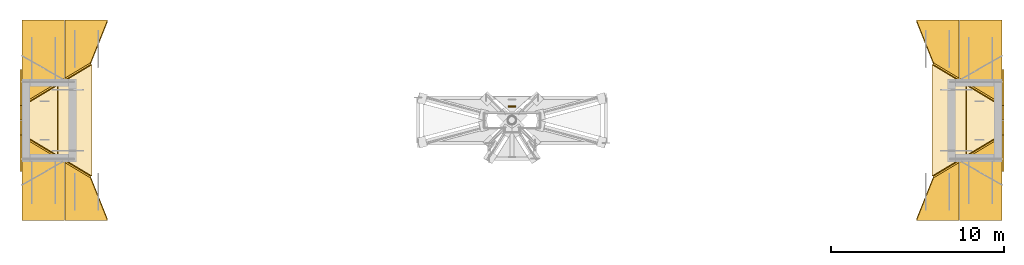
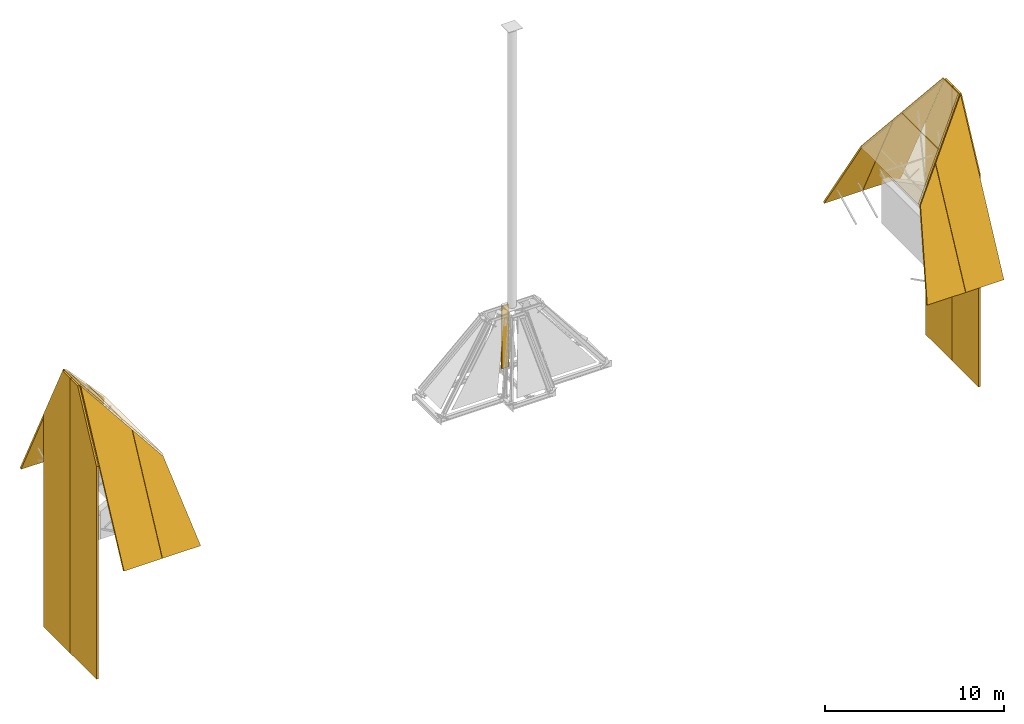
# One storey, part 4 of 4: 16 coverings, 1 railing.
"""IFC4 building model written with IfcOpenShell, lengths in metres."""

from ifc_helpers import new_model, si_unit, direction, frame, origin, origin_2d, place, context, subcontext, project, spatial, polyline, rectangle, outline, extrude, material, layer, layer_set, type_object, element, save


model = new_model("IFC4")

# Units and contexts
model_context = context("Model", 3, precision=1e-05, world=origin(), true_north=direction((0.0, 1.0)))
body_context = subcontext(model_context, "Body", "Model", "MODEL_VIEW")
ifc_project = project(units=[si_unit("LENGTHUNIT", "METRE"), si_unit("AREAUNIT", "SQUARE_METRE"), si_unit("VOLUMEUNIT", "CUBIC_METRE"), si_unit("PLANEANGLEUNIT", "RADIAN"), si_unit("MASSUNIT", "GRAM", prefix="KILO")], contexts=[model_context])

# Site, building, storey
site_placement = place(None, origin())
site = spatial("IfcSite", under=ifc_project, at=site_placement, CompositionType="ELEMENT")
building_placement = place(site_placement, origin())
building = spatial("IfcBuilding", under=site, at=building_placement, Name="Perihelion Cross Residences", CompositionType="ELEMENT")
storey_placement = place(building_placement, frame((0.0, 0.0, 321.300048828125)))
storey = spatial("IfcBuildingStorey", under=building, at=storey_placement, Name="L81", CompositionType="ELEMENT", Elevation=321.300048828125)

# Railing
ifc_material_1 = material(Name="Galvanised steel S355", Category="steel")
railing_type = type_object("IfcRailingType", Name="Fixed access ladder", PredefinedType="NOTDEFINED", material=ifc_material_1)
railing_placement = place(storey_placement, frame((0.0, 0.800048828125, 0.0), z_axis=(0.0, 0.0, 1.0), x_axis=(1.0, 0.0, 0.0)))
element("IfcRailing", 1, at=railing_placement, inside=storey, type_object=railing_type, Name="Fixed access ladder", PredefinedType="NOTDEFINED", context=body_context, shape_type="SweptSolid", body=[
    extrude(rectangle(XDim=0.449951171875, YDim=0.10009765625, at=origin_2d()), origin(), (0.0, 0.0, 1.0), 4.25),
])

# Coverings
ifc_material_2 = material(Name="Bronze anodised aluminium", Category="aluminium")
ifc_layer_1 = layer(ifc_material_2, 0.1201171875)
ifc_layer_set_1 = layer_set([ifc_layer_1], Name="Pylon facet panel, outer end")
covering_type_1 = type_object("IfcCoveringType", Name="Pylon facet panel, outer end", PredefinedType="CLADDING", material=ifc_layer_set_1)
covering_1_placement = place(storey_placement, frame((28.469970703125, -2.956787109375, 5.486572265625), z_axis=(1.0, 0.0, 0.0), x_axis=(0.0, 0.0, -1.0)))
element("IfcCovering", 2, at=covering_1_placement, inside=storey, type_object=covering_type_1, Name="Pylon facet panel, east stack, outer end", PredefinedType="CLADDING", context=body_context, shape_type="SweptSolid", body=[
    extrude(outline(polyline([(0.0, 0.0), (14.486572265625, 0.0), (14.486572265625, 2.94677734375), (-4.21337890625, 2.94677734375), (-4.21337890625, 2.106689453125), (0.0, 0.0)])), origin(), (0.0, 0.0, -1.0), 0.1201171875),
])
covering_2_placement = place(storey_placement, frame((28.469970703125, 0.010009765625, 9.699951171875), z_axis=(1.0, 0.0, 0.0), x_axis=(0.0, 0.0, -1.0)))
element("IfcCovering", 3, at=covering_2_placement, inside=storey, type_object=covering_type_1, Name="Pylon facet panel, east stack, outer end", PredefinedType="CLADDING", context=body_context, shape_type="SweptSolid", body=[
    extrude(outline(polyline([(0.0, 0.0), (18.699951171875, 0.0), (18.699951171875, 2.94677734375), (4.21337890625, 2.94677734375), (0.0, 0.840087890625), (0.0, 0.0)])), origin(), (0.0, 0.0, -1.0), 0.1201171875),
])
covering_3_placement = place(storey_placement, frame((-28.469970703125, -0.85009765625, 9.699951171875), z_axis=(-1.0, 0.0, 0.0), x_axis=(0.0, 1.0, 0.0)))
element("IfcCovering", 4, at=covering_3_placement, inside=storey, type_object=covering_type_1, Name="Pylon facet panel, west stack, outer end", PredefinedType="CLADDING", context=body_context, shape_type="SweptSolid", body=[
    extrude(outline(polyline([(0.0, 0.0), (0.840087890625, 0.0), (0.840087890625, 18.699951171875), (-2.106689453125, 18.699951171875), (-2.106689453125, 4.21337890625), (0.0, 0.0)])), origin(), (0.0, 0.0, -1.0), 0.1201171875),
])
covering_4_placement = place(storey_placement, frame((-28.469970703125, 0.85009765625, 9.699951171875), z_axis=(-1.0, 0.0, 0.0), x_axis=(0.0, 0.4472135955, -0.894427191)))
element("IfcCovering", 5, at=covering_4_placement, inside=storey, type_object=covering_type_1, Name="Pylon facet panel, west stack, outer end", PredefinedType="CLADDING", context=body_context, shape_type="SweptSolid", body=[
    extrude(outline(polyline([(0.0, 0.0), (4.710700824669357, 0.0), (17.667884963429614, 6.478592069380129), (16.35004607239336, 9.114269851452635), (-0.3756987261023817, 0.7513974522047634), (0.0, 0.0)])), origin(), (0.0, 0.0, -1.0), 0.1201171875),
])
ifc_material_3 = material(Name="Bronze anodised aluminium", Category="aluminium")
ifc_layer_2 = layer(ifc_material_3, 0.1201171875)
ifc_layer_set_2 = layer_set([ifc_layer_2], Name="Pylon facet panel, raking roof")
covering_type_2 = type_object("IfcCoveringType", Name="Pylon facet panel, raking roof", PredefinedType="CLADDING", material=ifc_layer_set_2)
covering_5_placement = place(storey_placement, frame((24.3056640625, 3.221435546875, 5.0341796875), z_axis=(-0.768201705924, 0.0, 0.640207887343), x_axis=(0.0, -1.0, 0.0)))
element("IfcCovering", 6, at=covering_5_placement, inside=storey, type_object=covering_type_2, Name="Pylon facet panel, east stack, raking roof", PredefinedType="CLADDING", context=body_context, shape_type="SweptSolid", body=[
    extrude(outline(polyline([(0.0, 0.0), (6.44287109375, 0.0), (5.2646484375, 3.06716472211125), (1.17822265625, 3.06716472211125), (0.0, 0.0)])), origin(), (0.0, 0.0, -1.0), 0.1201171875),
])
covering_6_placement = place(storey_placement, frame((26.285888671875, 2.033203125, 7.410400390625), z_axis=(-0.768234327516, 0.0, 0.640168741837), x_axis=(0.0, -1.0, 0.0)))
element("IfcCovering", 7, at=covering_6_placement, inside=storey, type_object=covering_type_2, Name="Pylon facet panel, east stack, raking roof", PredefinedType="CLADDING", context=body_context, shape_type="SweptSolid", body=[
    extrude(outline(polyline([(0.0, 0.0), (4.06640625, 0.0), (2.88818359375, 3.06735227533811), (1.17822265625, 3.06735227533811), (0.0, 0.0)])), origin(), (0.0, 0.0, -1.0), 0.1201171875),
])
covering_7_placement = place(storey_placement, frame((-26.269287109375, 2.043212890625, 7.390380859375), z_axis=(0.768201705924, 0.0, 0.640207887343), x_axis=(0.0, -1.0, 0.0)))
element("IfcCovering", 8, at=covering_7_placement, inside=storey, type_object=covering_type_2, Name="Pylon facet panel, west stack, raking roof", PredefinedType="CLADDING", context=body_context, shape_type="SweptSolid", body=[
    extrude(outline(polyline([(0.0, 0.0), (4.08642578125, 0.0), (5.2646484375, 3.06716472211125), (-1.17822265625, 3.06716472211125), (0.0, 0.0)])), origin(), (0.0, 0.0, -1.0), 0.1201171875),
])
covering_8_placement = place(storey_placement, frame((-28.24951171875, 0.85498046875, 9.766845703125), z_axis=(0.768234327516, 0.0, 0.640168741837), x_axis=(0.0, -1.0, 0.0)))
element("IfcCovering", 9, at=covering_8_placement, inside=storey, type_object=covering_type_2, Name="Pylon facet panel, west stack, raking roof", PredefinedType="CLADDING", context=body_context, shape_type="SweptSolid", body=[
    extrude(outline(polyline([(0.0, 0.0), (1.7099609375, 0.0), (2.88818359375, 3.06735227533811), (-1.17822265625, 3.06735227533811), (0.0, 0.0)])), origin(), (0.0, 0.0, -1.0), 0.1201171875),
])
ifc_material_4 = material(Name="Bronze anodised aluminium", Category="aluminium")
ifc_layer_3 = layer(ifc_material_4, 0.1201171875)
ifc_layer_set_3 = layer_set([ifc_layer_3], Name="Pylon facet panel, upper flank")
covering_type_3 = type_object("IfcCoveringType", Name="Pylon facet panel, upper flank", PredefinedType="CLADDING", material=ifc_layer_set_3)
covering_9_placement = place(storey_placement, frame((25.864990234375, 2.4482421875, 6.771728515625), z_axis=(-2.4432789e-05, 0.894420405781, 0.447227165014), x_axis=(-1.6e-11, 0.447227165147, -0.894420406047)))
element("IfcCovering", 10, at=covering_9_placement, inside=storey, type_object=covering_type_3, Name="Pylon facet panel, east stack, north flank, upper", PredefinedType="CLADDING", context=body_context, shape_type="SweptSolid", body=[
    extrude(outline(polyline([(0.0, 0.0), (7.511026581658406, 0.0), (7.511026581696498, 2.455078124267207), (7.455234061959223, 2.4550781295826822), (1.9798154621938713, 1.4755859350950802), (0.0, 0.0)])), origin(), (0.0, 0.0, -1.0), 0.1201171875),
])
covering_10_placement = place(storey_placement, frame((28.340087890625, 0.96337890625, 9.74169921875), z_axis=(-2.6223236e-05, 0.894424532536, 0.44721891162), x_axis=(-1.56e-10, 0.447218911774, -0.894424532843)))
element("IfcCovering", 11, at=covering_10_placement, inside=storey, type_object=covering_type_3, Name="Pylon facet panel, east stack, north flank, upper", PredefinedType="CLADDING", context=body_context, shape_type="SweptSolid", body=[
    extrude(outline(polyline([(0.0, 0.0), (10.831500180856844, 0.0), (10.831500181239505, 2.4550781241558726), (3.2937237632124416, 2.4550781270190045), (0.0, 0.0)])), origin(), (0.0, 0.0, -1.0), 0.1201171875),
])
covering_11_placement = place(storey_placement, frame((23.409912109375, -5.7822265625, 0.103515625), z_axis=(-2.4432789e-05, -0.894420405781, 0.447227165014), x_axis=(9.5257e-08, -0.44722716515, -0.894420406046)))
element("IfcCovering", 12, at=covering_11_placement, inside=storey, type_object=covering_type_3, Name="Pylon facet panel, east stack, south flank, upper", PredefinedType="CLADDING", context=body_context, shape_type="SweptSolid", body=[
    extrude(outline(polyline([(0.0, 0.0), (0.05579251973727503, 0.0), (0.05579275359984012, 2.455078124267196), (-7.455233828058533, 2.4550788398591075), (-5.4754185064469665, 0.9794927161426902), (0.0, 0.0)])), origin(), (0.0, 0.0, -1.0), 0.1201171875),
])
covering_12_placement = place(storey_placement, frame((25.885009765625, -2.436279296875, 6.795654296875), z_axis=(-2.6223236e-05, -0.894424532536, 0.44721891162), x_axis=(2.24e-10, -0.447218911774, -0.894424532843)))
element("IfcCovering", 13, at=covering_12_placement, inside=storey, type_object=covering_type_3, Name="Pylon facet panel, east stack, south flank, upper", PredefinedType="CLADDING", context=body_context, shape_type="SweptSolid", body=[
    extrude(outline(polyline([(0.0, 0.0), (7.537776418027065, -1.3552527156068805e-20), (7.537776418576935, 2.4550781241558726), (-3.2937237622799103, 2.455078128270085), (0.0, 0.0)])), origin(), (0.0, 0.0, -1.0), 0.1201171875),
])
covering_13_placement = place(storey_placement, frame((-24.389404296875, 3.333740234375, 5.0009765625), z_axis=(2.4432789e-05, 0.894420405781, 0.447227165014), x_axis=(0.176093585025, 0.44023469025, -0.880445606959)))
element("IfcCovering", 14, at=covering_13_placement, inside=storey, type_object=covering_type_3, Name="Pylon facet panel, west stack, north flank, upper", PredefinedType="CLADDING", context=body_context, shape_type="SweptSolid", body=[
    extrude(outline(polyline([(0.0, 0.0), (5.56233887871986, 0.0), (5.617259551794904, 0.009824710052632524), (5.184936043246106, 2.4265383836621988), (-2.2087189542734493, 1.1038947853964858), (0.0, 0.0)])), origin(), (0.0, 0.0, -1.0), 0.1201171875),
])
covering_14_placement = place(storey_placement, frame((-25.885009765625, 2.436279296875, 6.795654296875), z_axis=(2.6223236e-05, 0.894424532536, 0.44721891162), x_axis=(-1.56e-10, 0.447218911774, -0.894424532843)))
element("IfcCovering", 15, at=covering_14_placement, inside=storey, type_object=covering_type_3, Name="Pylon facet panel, west stack, north flank, upper", PredefinedType="CLADDING", context=body_context, shape_type="SweptSolid", body=[
    extrude(outline(polyline([(0.0, 0.0), (7.537776418027065, -1.3552527156068805e-20), (7.537776418576935, 2.4550781241558726), (-3.2937237622799103, 2.455078128270085), (0.0, 0.0)])), origin(), (0.0, 0.0, -1.0), 0.1201171875),
])
covering_15_placement = place(storey_placement, frame((-24.389404296875, -3.333740234375, 5.0009765625), z_axis=(2.4432789e-05, -0.894420405781, 0.447227165014), x_axis=(-0.597593116147, 0.35857346621, 0.717152380505)))
element("IfcCovering", 16, at=covering_15_placement, inside=storey, type_object=covering_type_3, Name="Pylon facet panel, west stack, south flank, upper", PredefinedType="CLADDING", context=body_context, shape_type="SweptSolid", body=[
    extrude(outline(polyline([(0.0, 0.0), (2.4692150809907902, 2.220446049250313e-16), (-3.5531224131369474, 4.488537781639186), (-5.0202602002389485, 2.5200573245574214), (-4.975525787972662, 2.486716094558752), (0.0, 0.0)])), origin(), (0.0, 0.0, -1.0), 0.1201171875),
])
covering_16_placement = place(storey_placement, frame((-28.340087890625, -0.96337890625, 9.74169921875), z_axis=(2.6223236e-05, -0.894424532536, 0.44721891162), x_axis=(2.24e-10, -0.447218911774, -0.894424532843)))
element("IfcCovering", 17, at=covering_16_placement, inside=storey, type_object=covering_type_3, Name="Pylon facet panel, west stack, south flank, upper", PredefinedType="CLADDING", context=body_context, shape_type="SweptSolid", body=[
    extrude(outline(polyline([(0.0, 0.0), (10.831500180856844, 0.0), (10.831500181239505, 2.4550781241558726), (3.2937237632124416, 2.4550781270190045), (0.0, 0.0)])), origin(), (0.0, 0.0, -1.0), 0.1201171875),
])

save(model, "model.ifc")
